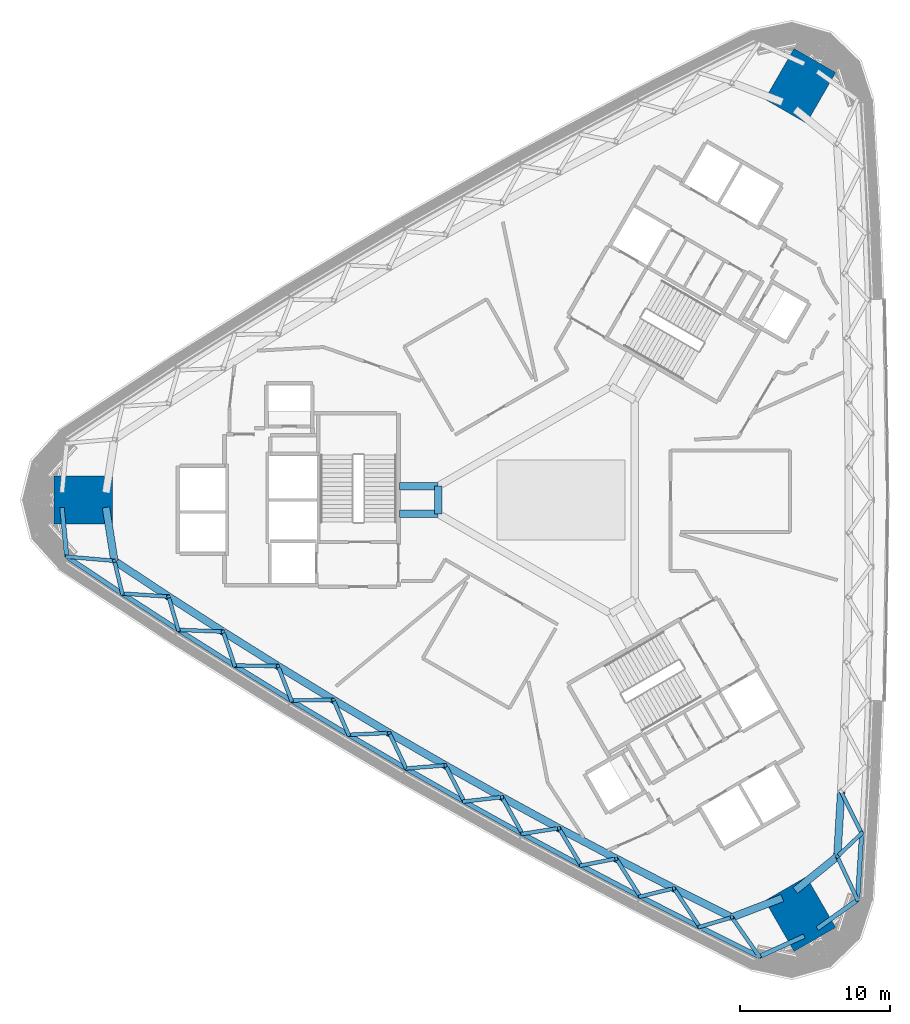
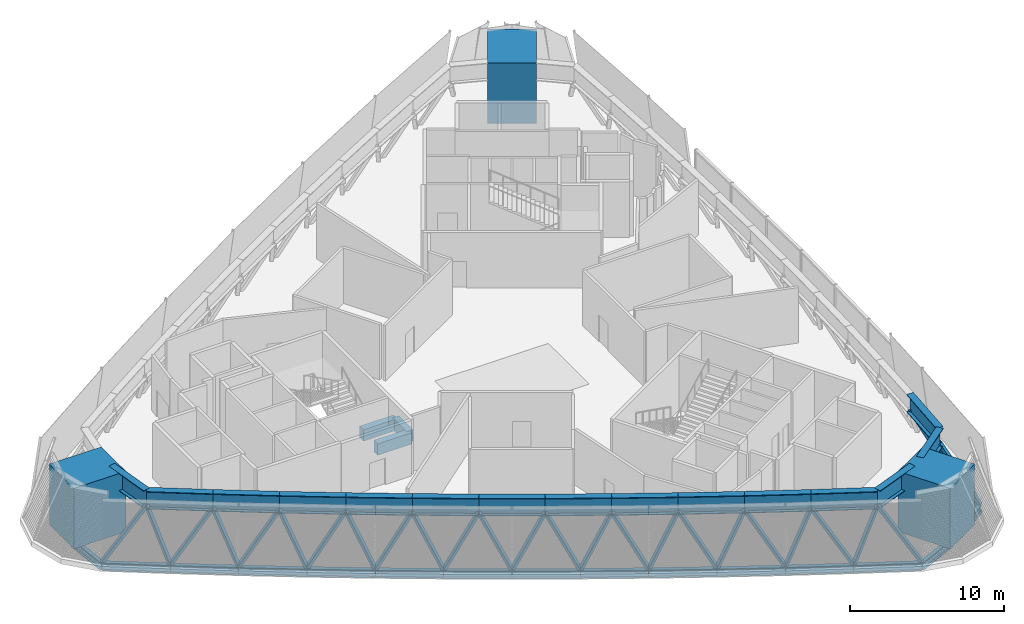
# One storey, part 1 of 17: 34 beams, 27 members, 3 columns.
"""IFC4 building model written with IfcOpenShell, lengths in metres."""

from ifc_helpers import new_model, si_unit, direction, frame, origin, origin_2d, place, context, subcontext, project, spatial, rectangle, hollow_rectangle, i_section, extrude, material, material_profile, profile_set, type_object, element, save


model = new_model("IFC4")

# Units and contexts
model_context = context("Model", 3, precision=1e-05, world=origin(), true_north=direction((0.0, 1.0)))
body_context = subcontext(model_context, "Body", "Model", "MODEL_VIEW")
ifc_project = project(units=[si_unit("LENGTHUNIT", "METRE"), si_unit("AREAUNIT", "SQUARE_METRE"), si_unit("VOLUMEUNIT", "CUBIC_METRE"), si_unit("PLANEANGLEUNIT", "RADIAN"), si_unit("MASSUNIT", "GRAM", prefix="KILO")], contexts=[model_context])

# Site, building, storey
site_placement = place(None, origin())
site = spatial("IfcSite", under=ifc_project, at=site_placement, CompositionType="ELEMENT")
building_placement = place(site_placement, origin())
building = spatial("IfcBuilding", under=site, at=building_placement, Name="Tamra Quay Hotel Tower", CompositionType="ELEMENT")
storey_placement = place(building_placement, frame((0.0, 0.0, 119.0)))
storey = spatial("IfcBuildingStorey", under=building, at=storey_placement, Name="L29", CompositionType="ELEMENT", Elevation=119.0)

# Columns
ifc_material_1 = material(Name="Concrete M70", Category="concrete")
ifc_material_profile_1 = material_profile(ifc_material_1, rectangle(XDim=3.89990234375, YDim=3.199951171875, at=origin_2d()), Name="MEGA COLUMN RC 3200x3900 Z2 BELT")
ifc_profile_set_1 = profile_set([ifc_material_profile_1], Name="Concrete M70")
column_type = type_object("IfcColumnType", Name="MEGA COLUMN RC 3200x3900 Z2 BELT", PredefinedType="COLUMN", material=ifc_profile_set_1)
for number, where, z_axis, x_axis, name in (
    (1, (15.931884765625, 27.594970703125, -0.39990234375), (0.0, 0.0, 1.0), (0.5, 0.866025403784, 0.0), "COL-MR2NE-L29"),
    (2, (-31.864013671875, 0.0, -0.39990234375), (0.0, 0.0, 1.0), (1.0, 0.0, 0.0), "COL-MR2W-L29"),
    (3, (15.931884765625, -27.594970703125, -0.39990234375), (0.0, 0.0, 1.0), (-0.5, 0.866025403784, 0.0), "COL-MR2SE-L29"),
):
    element("IfcColumn", number, at=place(storey_placement, frame(where, z_axis=z_axis, x_axis=x_axis)), inside=storey, type_object=column_type, Name=name, PredefinedType="COLUMN", context=body_context, shape_type="SweptSolid", body=[
        extrude(rectangle(XDim=3.89990234375, YDim=3.199951171875, at=origin_2d()), origin(), (0.0, 0.0, 1.0), 4.7998046875),
    ])

# Beams
ifc_material_2 = material(Name="Concrete M60", Category="concrete")
ifc_material_profile_2 = material_profile(ifc_material_2, rectangle(XDim=0.5, YDim=0.89990234375, at=origin_2d()), Name="ATRIUM EDGE BEAM RC 500x900")
ifc_profile_set_2 = profile_set([ifc_material_profile_2], Name="Concrete M60")
beam_type_1 = type_object("IfcBeamType", Name="ATRIUM EDGE BEAM RC 500x900", PredefinedType="BEAM", material=ifc_profile_set_2)
beam_1_placement = place(storey_placement, frame((-8.199951171875, -0.923828125, -0.85009765625), z_axis=(0.0, 1.0, 0.0), x_axis=(-1.0, 0.0, 0.0)))
element("IfcBeam", 4, at=beam_1_placement, inside=storey, type_object=beam_type_1, Name="BM-AB3-L29", PredefinedType="BEAM", context=body_context, shape_type="SweptSolid", body=[
    extrude(rectangle(XDim=0.5, YDim=0.89990234375, at=origin_2d()), origin(), (0.0, 0.0, 1.0), 1.84765625),
])
ifc_material_profile_3 = material_profile(ifc_material_2, rectangle(XDim=0.5, YDim=0.89990234375, at=origin_2d()), Name="ATRIUM TIE BEAM RC 500x900")
ifc_profile_set_3 = profile_set([ifc_material_profile_3], Name="Concrete M60")
beam_type_2 = type_object("IfcBeamType", Name="ATRIUM TIE BEAM RC 500x900", PredefinedType="BEAM", material=ifc_profile_set_3)
for number, where, z_axis, x_axis, name in (
    (5, (-8.199951171875, -0.923828125, -0.85009765625), (-1.0, 0.0, 0.0), (0.0, -1.0, 0.0), "BM-TIE-3-L29"),
    (6, (-8.199951171875, 0.923828125, -0.85009765625), (-1.0, 0.0, 0.0), (0.0, -1.0, 0.0), "BM-TIE-4-L29"),
):
    element("IfcBeam", number, at=place(storey_placement, frame(where, z_axis=z_axis, x_axis=x_axis)), inside=storey, type_object=beam_type_2, Name=name, PredefinedType="BEAM", context=body_context, shape_type="SweptSolid", body=[
        extrude(rectangle(XDim=0.5, YDim=0.89990234375, at=origin_2d()), origin(), (0.0, 0.0, 1.0), 2.562255859375),
    ])

# Members
ifc_material_3 = material(Name="Structural steel IS 2062 E350", Category="steel")
ifc_material_profile_4 = material_profile(ifc_material_3, hollow_rectangle(XDim=0.25, YDim=0.25, WallThickness=0.010009765625, at=origin_2d()), Name="SHS 250x250x10")
ifc_profile_set_4 = profile_set([ifc_material_profile_4], Name="Structural steel IS 2062 E350")
member_type = type_object("IfcMemberType", Name="BELT BRACE SHS 250x250x10 Z2", PredefinedType="BRACE", material=ifc_profile_set_4)
member_1_placement = place(storey_placement, frame((19.746337890625, -26.648681640625, -0.39990234375), z_axis=(-0.282744312896, 0.605792988773, 0.743687103746), x_axis=(-0.906159683622, -0.422935725351, 0.0)))
element("IfcMember", 7, at=member_1_placement, inside=storey, type_object=member_type, Name="BR-L29-000", PredefinedType="BRACE", context=body_context, shape_type="SweptSolid", body=[
    extrude(hollow_rectangle(XDim=0.25, YDim=0.25, WallThickness=0.010009765625, at=origin_2d()), origin(), (0.0, 0.0, 1.0), 4.773193359375),
])
member_2_placement = place(storey_placement, frame((20.02490234375, -22.212158203125, -0.39990234375), z_axis=(-0.387673105904, -0.367850564427, 0.845219217251), x_axis=(0.68831767692, -0.725409384858, 0.0)))
element("IfcMember", 8, at=member_2_placement, inside=storey, type_object=member_type, Name="BR-L29-001", PredefinedType="BRACE", context=body_context, shape_type="SweptSolid", body=[
    extrude(hollow_rectangle(XDim=0.25, YDim=0.25, WallThickness=0.010009765625, at=origin_2d()), origin(), (0.0, 0.0, 1.0), 4.199951171875),
])
member_3_placement = place(storey_placement, frame((20.02490234375, -22.212158203125, -0.39990234375), z_axis=(-0.291166741739, 0.588506446648, 0.754242726686), x_axis=(-0.896299578858, -0.443449055631, 0.0)))
element("IfcMember", 9, at=member_3_placement, inside=storey, type_object=member_type, Name="BR-L29-002", PredefinedType="BRACE", context=body_context, shape_type="SweptSolid", body=[
    extrude(hollow_rectangle(XDim=0.25, YDim=0.25, WallThickness=0.010009765625, at=origin_2d()), origin(), (0.0, 0.0, 1.0), 4.70654296875),
])
member_4_placement = place(storey_placement, frame((-32.951416015625, -3.776611328125, -0.39990234375), z_axis=(0.665971189165, -0.058003942282, 0.743718977761), x_axis=(0.086768290439, 0.996228519856, 0.0)))
element("IfcMember", 10, at=member_4_placement, inside=storey, type_object=member_type, Name="BR-L29-048", PredefinedType="BRACE", context=body_context, shape_type="SweptSolid", body=[
    extrude(hollow_rectangle(XDim=0.25, YDim=0.25, WallThickness=0.010009765625, at=origin_2d()), origin(), (0.0, 0.0, 1.0), 4.77294921875),
])
member_5_placement = place(storey_placement, frame((-29.248779296875, -6.23583984375, -0.39990234375), z_axis=(-0.124750019863, 0.519636732318, 0.845230796274), x_axis=(-0.972371501354, -0.2334387786, 0.0)))
element("IfcMember", 11, at=member_5_placement, inside=storey, type_object=member_type, Name="BR-L29-049", PredefinedType="BRACE", context=body_context, shape_type="SweptSolid", body=[
    extrude(hollow_rectangle(XDim=0.25, YDim=0.25, WallThickness=0.010009765625, at=origin_2d()), origin(), (0.0, 0.0, 1.0), 4.19970703125),
])
member_6_placement = place(storey_placement, frame((-29.248779296875, -6.23583984375, -0.39990234375), z_axis=(0.65525726514, -0.04212071717, 0.754230575929), x_axis=(0.064148793555, 0.997940345053, 0.0)))
element("IfcMember", 12, at=member_6_placement, inside=storey, type_object=member_type, Name="BR-L29-050", PredefinedType="BRACE", context=body_context, shape_type="SweptSolid", body=[
    extrude(hollow_rectangle(XDim=0.25, YDim=0.25, WallThickness=0.010009765625, at=origin_2d()), origin(), (0.0, 0.0, 1.0), 4.70654296875),
])
member_7_placement = place(storey_placement, frame((-25.5185546875, -8.653076171875, -0.39990234375), z_axis=(-0.152563414814, 0.523856772667, 0.83803250903), x_axis=(-0.960112317806, -0.279614622646, 0.0)))
element("IfcMember", 13, at=member_7_placement, inside=storey, type_object=member_type, Name="BR-L29-051", PredefinedType="BRACE", context=body_context, shape_type="SweptSolid", body=[
    extrude(hollow_rectangle(XDim=0.25, YDim=0.25, WallThickness=0.010009765625, at=origin_2d()), origin(), (0.0, 0.0, 1.0), 4.23583984375),
])
member_8_placement = place(storey_placement, frame((-25.5185546875, -8.653076171875, -0.39990234375), z_axis=(0.644011178893, -0.025556416505, 0.764589086397), x_axis=(0.039651978917, 0.999213551033, 0.0)))
element("IfcMember", 14, at=member_8_placement, inside=storey, type_object=member_type, Name="BR-L29-052", PredefinedType="BRACE", context=body_context, shape_type="SweptSolid", body=[
    extrude(hollow_rectangle(XDim=0.25, YDim=0.25, WallThickness=0.010009765625, at=origin_2d()), origin(), (0.0, 0.0, 1.0), 4.642822265625),
])
member_9_placement = place(storey_placement, frame((-21.760986328125, -11.02734375, -0.39990234375), z_axis=(-0.179538333068, 0.527593721125, 0.830307685373), x_axis=(-0.946687145124, -0.322154387301, 0.0)))
element("IfcMember", 15, at=member_9_placement, inside=storey, type_object=member_type, Name="BR-L29-053", PredefinedType="BRACE", context=body_context, shape_type="SweptSolid", body=[
    extrude(hollow_rectangle(XDim=0.25, YDim=0.25, WallThickness=0.010009765625, at=origin_2d()), origin(), (0.0, 0.0, 1.0), 4.275390625),
])
member_10_placement = place(storey_placement, frame((-21.760986328125, -11.02734375, -0.39990234375), z_axis=(0.632117792655, -0.008419710946, 0.774826564256), x_axis=(0.013318663448, 0.999911302668, 0.0)))
element("IfcMember", 16, at=member_10_placement, inside=storey, type_object=member_type, Name="BR-L29-054", PredefinedType="BRACE", context=body_context, shape_type="SweptSolid", body=[
    extrude(hollow_rectangle(XDim=0.25, YDim=0.25, WallThickness=0.010009765625, at=origin_2d()), origin(), (0.0, 0.0, 1.0), 4.581298828125),
])
member_11_placement = place(storey_placement, frame((-17.976806640625, -13.35888671875, -0.39990234375), z_axis=(-0.205679134807, 0.530989124274, 0.82203810338), x_axis=(-0.932488287788, -0.361200211986, 0.0)))
element("IfcMember", 17, at=member_11_placement, inside=storey, type_object=member_type, Name="BR-L29-055", PredefinedType="BRACE", context=body_context, shape_type="SweptSolid", body=[
    extrude(hollow_rectangle(XDim=0.25, YDim=0.25, WallThickness=0.010009765625, at=origin_2d()), origin(), (0.0, 0.0, 1.0), 4.318359375),
])
member_12_placement = place(storey_placement, frame((-17.976806640625, -13.35888671875, -0.39990234375), z_axis=(0.619584819153, 0.009500516481, 0.784872213842), x_axis=(-0.015331879502, 0.999882459828, 0.0)))
element("IfcMember", 18, at=member_12_placement, inside=storey, type_object=member_type, Name="BR-L29-056", PredefinedType="BRACE", context=body_context, shape_type="SweptSolid", body=[
    extrude(hollow_rectangle(XDim=0.25, YDim=0.25, WallThickness=0.010009765625, at=origin_2d()), origin(), (0.0, 0.0, 1.0), 4.522705078125),
])
member_13_placement = place(storey_placement, frame((-14.166015625, -15.646728515625, -0.39990234375), z_axis=(-0.231066445159, 0.534009041863, 0.813291240043), x_axis=(-0.917767092513, -0.397119080252, 0.0)))
element("IfcMember", 19, at=member_13_placement, inside=storey, type_object=member_type, Name="BR-L29-057", PredefinedType="BRACE", context=body_context, shape_type="SweptSolid", body=[
    extrude(hollow_rectangle(XDim=0.25, YDim=0.25, WallThickness=0.010009765625, at=origin_2d()), origin(), (0.0, 0.0, 1.0), 4.36474609375),
])
member_14_placement = place(storey_placement, frame((-14.166015625, -15.646728515625, -0.39990234375), z_axis=(0.606424853994, 0.027982112946, 0.794648285604), x_axis=(-0.04609370994, 0.998937120095, 0.0)))
element("IfcMember", 20, at=member_14_placement, inside=storey, type_object=member_type, Name="BR-L29-058", PredefinedType="BRACE", context=body_context, shape_type="SweptSolid", body=[
    extrude(hollow_rectangle(XDim=0.25, YDim=0.25, WallThickness=0.010009765625, at=origin_2d()), origin(), (0.0, 0.0, 1.0), 4.467041015625),
])
for number, where, z_axis, x_axis, name in (
    (21, (-10.32958984375, -17.89111328125, -0.39990234375), (-0.255405450979, 0.536749653909, 0.804156616984), (-0.902984309672, -0.429673523139, 0.0), "BR-L29-059"),
    (22, (-10.32958984375, -17.89111328125, -0.39990234375), (0.592551426741, 0.047120946013, 0.804153233603), (-0.079271867167, 0.99685303384, 0.0), "BR-L29-060"),
):
    element("IfcMember", number, at=place(storey_placement, frame(where, z_axis=z_axis, x_axis=x_axis)), inside=storey, type_object=member_type, Name=name, PredefinedType="BRACE", context=body_context, shape_type="SweptSolid", body=[
        extrude(hollow_rectangle(XDim=0.25, YDim=0.25, WallThickness=0.010009765625, at=origin_2d()), origin(), (0.0, 0.0, 1.0), 4.414306640625),
    ])
member_15_placement = place(storey_placement, frame((-6.467529296875, -20.091552734375, -0.39990234375), z_axis=(-0.279003053541, 0.539150856647, 0.794653163268), x_axis=(-0.888128949602, -0.459594352531, 0.0)))
element("IfcMember", 23, at=member_15_placement, inside=storey, type_object=member_type, Name="BR-L29-061", PredefinedType="BRACE", context=body_context, shape_type="SweptSolid", body=[
    extrude(hollow_rectangle(XDim=0.25, YDim=0.25, WallThickness=0.010009765625, at=origin_2d()), origin(), (0.0, 0.0, 1.0), 4.467041015625),
])
member_16_placement = place(storey_placement, frame((-6.467529296875, -20.091552734375, -0.39990234375), z_axis=(0.57801919806, 0.066896744811, 0.813276479562), x_axis=(-0.114967068607, 0.9933693035, 0.0)))
element("IfcMember", 24, at=member_16_placement, inside=storey, type_object=member_type, Name="BR-L29-062", PredefinedType="BRACE", context=body_context, shape_type="SweptSolid", body=[
    extrude(hollow_rectangle(XDim=0.25, YDim=0.25, WallThickness=0.010009765625, at=origin_2d()), origin(), (0.0, 0.0, 1.0), 4.36474609375),
])
member_17_placement = place(storey_placement, frame((-2.580810546875, -22.247802734375, -0.39990234375), z_axis=(-0.301538393441, 0.541322414864, 0.784885112896), x_axis=(-0.873606071044, -0.48663377671, 0.0)))
element("IfcMember", 25, at=member_17_placement, inside=storey, type_object=member_type, Name="BR-L29-063", PredefinedType="BRACE", context=body_context, shape_type="SweptSolid", body=[
    extrude(hollow_rectangle(XDim=0.25, YDim=0.25, WallThickness=0.010009765625, at=origin_2d()), origin(), (0.0, 0.0, 1.0), 4.522705078125),
])
member_18_placement = place(storey_placement, frame((-2.580810546875, -22.247802734375, -0.39990234375), z_axis=(0.562740562902, 0.087345204911, 0.822006006087), x_axis=(-0.153377442509, 0.988167678144, 0.0)))
element("IfcMember", 26, at=member_18_placement, inside=storey, type_object=member_type, Name="BR-L29-064", PredefinedType="BRACE", context=body_context, shape_type="SweptSolid", body=[
    extrude(hollow_rectangle(XDim=0.25, YDim=0.25, WallThickness=0.010009765625, at=origin_2d()), origin(), (0.0, 0.0, 1.0), 4.318359375),
])
member_19_placement = place(storey_placement, frame((1.33056640625, -24.359375, -0.39990234375), z_axis=(-0.32330894311, 0.543235761671, 0.774833036561), x_axis=(-0.859324639719, -0.51143050708, 0.0)))
element("IfcMember", 27, at=member_19_placement, inside=storey, type_object=member_type, Name="BR-L29-065", PredefinedType="BRACE", context=body_context, shape_type="SweptSolid", body=[
    extrude(hollow_rectangle(XDim=0.25, YDim=0.25, WallThickness=0.010009765625, at=origin_2d()), origin(), (0.0, 0.0, 1.0), 4.581298828125),
])
member_20_placement = place(storey_placement, frame((1.33056640625, -24.359375, -0.39990234375), z_axis=(0.546629374162, 0.108332210905, 0.830337557493), x_axis=(-0.194401294917, 0.980922084844, 0.0)))
element("IfcMember", 28, at=member_20_placement, inside=storey, type_object=member_type, Name="BR-L29-066", PredefinedType="BRACE", context=body_context, shape_type="SweptSolid", body=[
    extrude(hollow_rectangle(XDim=0.25, YDim=0.25, WallThickness=0.010009765625, at=origin_2d()), origin(), (0.0, 0.0, 1.0), 4.275146484375),
])
member_21_placement = place(storey_placement, frame((5.265625, -26.42626953125, -0.39990234375), z_axis=(-0.344214906408, 0.544928059136, 0.764571454197), x_axis=(-0.845454005932, -0.53404824113, 0.0)))
element("IfcMember", 29, at=member_21_placement, inside=storey, type_object=member_type, Name="BR-L29-067", PredefinedType="BRACE", context=body_context, shape_type="SweptSolid", body=[
    extrude(hollow_rectangle(XDim=0.25, YDim=0.25, WallThickness=0.010009765625, at=origin_2d()), origin(), (0.0, 0.0, 1.0), 4.642822265625),
])
member_22_placement = place(storey_placement, frame((5.265625, -26.42626953125, -0.39990234375), z_axis=(0.529922135525, 0.129800375158, 0.83805393197), x_axis=(-0.237909409225, 0.971287348318, 0.0)))
element("IfcMember", 30, at=member_22_placement, inside=storey, type_object=member_type, Name="BR-L29-068", PredefinedType="BRACE", context=body_context, shape_type="SweptSolid", body=[
    extrude(hollow_rectangle(XDim=0.25, YDim=0.25, WallThickness=0.010009765625, at=origin_2d()), origin(), (0.0, 0.0, 1.0), 4.23583984375),
])
member_23_placement = place(storey_placement, frame((9.223876953125, -28.4482421875, -0.39990234375), z_axis=(-0.364092887779, 0.546424630269, 0.754225756988), x_axis=(-0.832183962152, -0.554499642144, 0.0)))
element("IfcMember", 31, at=member_23_placement, inside=storey, type_object=member_type, Name="BR-L29-069", PredefinedType="BRACE", context=body_context, shape_type="SweptSolid", body=[
    extrude(hollow_rectangle(XDim=0.25, YDim=0.25, WallThickness=0.010009765625, at=origin_2d()), origin(), (0.0, 0.0, 1.0), 4.70654296875),
])
member_24_placement = place(storey_placement, frame((9.223876953125, -28.4482421875, -0.39990234375), z_axis=(0.512414816212, 0.151835224044, 0.845208329861), x_axis=(-0.284103143013, 0.958793723452, 0.0)))
element("IfcMember", 32, at=member_24_placement, inside=storey, type_object=member_type, Name="BR-L29-070", PredefinedType="BRACE", context=body_context, shape_type="SweptSolid", body=[
    extrude(hollow_rectangle(XDim=0.25, YDim=0.25, WallThickness=0.010009765625, at=origin_2d()), origin(), (0.0, 0.0, 1.0), 4.199951171875),
])
member_25_placement = place(storey_placement, frame((13.205078125, -30.425048828125, -0.39990234375), z_axis=(-0.383211555214, 0.547759282539, 0.743712761987), x_axis=(-0.81938645894, -0.573241511848, 0.0)))
element("IfcMember", 33, at=member_25_placement, inside=storey, type_object=member_type, Name="BR-L29-071", PredefinedType="BRACE", context=body_context, shape_type="SweptSolid", body=[
    extrude(hollow_rectangle(XDim=0.25, YDim=0.25, WallThickness=0.010009765625, at=origin_2d()), origin(), (0.0, 0.0, 1.0), 4.773193359375),
])

# Beams
ifc_material_profile_5 = material_profile(ifc_material_3, i_section(OverallWidth=0.304931640625, OverallDepth=0.6201171875, WebThickness=0.02099609375, FlangeThickness=0.0400390625, at=origin_2d()), Name="WPB 600x300x285")
ifc_profile_set_5 = profile_set([ifc_material_profile_5], Name="Structural steel IS 2062 E350")
beam_type_3 = type_object("IfcBeamType", Name="BELT CHORD WPB 600x300x285 Z2", PredefinedType="BEAM", material=ifc_profile_set_5)
beam_2_placement = place(storey_placement, frame((19.746337890625, -26.648681640625, -0.7099609375), z_axis=(0.062665499823, 0.99803458614, 0.0), x_axis=(-0.99803458614, 0.062665499823, 0.0)))
element("IfcBeam", 34, at=beam_2_placement, inside=storey, type_object=beam_type_3, Name="BM-CHB-L29-000", PredefinedType="BEAM", context=body_context, shape_type="SweptSolid", body=[
    extrude(i_section(OverallWidth=0.304931640625, OverallDepth=0.6201171875, WebThickness=0.02099609375, FlangeThickness=0.0400390625, at=origin_2d()), origin(), (0.0, 0.0, 1.0), 4.4453125),
])
beam_3_placement = place(storey_placement, frame((-33.26611328125, -0.497802734375, -0.7099609375), z_axis=(0.095540102375, -0.995425581768, 0.0), x_axis=(0.995425581768, 0.095540102375, 0.0)))
element("IfcBeam", 35, at=beam_3_placement, inside=storey, type_object=beam_type_3, Name="BM-CHB-L29-027", PredefinedType="BEAM", context=body_context, shape_type="SweptSolid", body=[
    extrude(i_section(OverallWidth=0.304931640625, OverallDepth=0.6201171875, WebThickness=0.02099609375, FlangeThickness=0.0400390625, at=origin_2d()), origin(), (0.0, 0.0, 1.0), 3.2939453125),
])
beam_4_placement = place(storey_placement, frame((-32.951416015625, -3.776611328125, -0.7099609375), z_axis=(0.833003924597, -0.553267079814, 0.0), x_axis=(0.553267079814, 0.833003924597, 0.0)))
element("IfcBeam", 36, at=beam_4_placement, inside=storey, type_object=beam_type_3, Name="BM-CHB-L29-028", PredefinedType="BEAM", context=body_context, shape_type="SweptSolid", body=[
    extrude(i_section(OverallWidth=0.304931640625, OverallDepth=0.6201171875, WebThickness=0.02099609375, FlangeThickness=0.0400390625, at=origin_2d()), origin(), (0.0, 0.0, 1.0), 4.44482421875),
])
beam_5_placement = place(storey_placement, frame((-29.248779296875, -6.23583984375, -0.7099609375), z_axis=(0.839204512616, -0.543815948649, 0.0), x_axis=(0.543815948649, 0.839204512616, 0.0)))
element("IfcBeam", 37, at=beam_5_placement, inside=storey, type_object=beam_type_3, Name="BM-CHB-L29-029", PredefinedType="BEAM", context=body_context, shape_type="SweptSolid", body=[
    extrude(i_section(OverallWidth=0.304931640625, OverallDepth=0.6201171875, WebThickness=0.02099609375, FlangeThickness=0.0400390625, at=origin_2d()), origin(), (0.0, 0.0, 1.0), 4.445068359375),
])
for number, where, z_axis, x_axis, name in (
    (38, (-25.5185546875, -8.653076171875, -0.7099609375), (0.845380554477, -0.534164504729, 0.0), (0.534164504729, 0.845380554477, 0.0), "BM-CHB-L29-030"),
    (39, (-21.760986328125, -11.02734375, -0.7099609375), (0.851375304544, -0.524557042477, 0.0), (0.524557042477, 0.851375304544, 0.0), "BM-CHB-L29-031"),
    (40, (-17.976806640625, -13.35888671875, -0.7099609375), (0.857357193624, -0.514721907967, 0.0), (0.514721907967, 0.857357193624, 0.0), "BM-CHB-L29-032"),
    (41, (-14.166015625, -15.646728515625, -0.7099609375), (0.863144691762, -0.504956672481, 0.0), (0.504956672481, 0.863144691762, 0.0), "BM-CHB-L29-033"),
    (42, (-10.32958984375, -17.89111328125, -0.7099609375), (0.868867759144, -0.495044257739, 0.0), (0.495044257739, 0.868867759144, 0.0), "BM-CHB-L29-034"),
    (43, (-6.467529296875, -20.091552734375, -0.7099609375), (0.874447303587, -0.485120514151, 0.0), (0.485120514151, 0.874447303587, 0.0), "BM-CHB-L29-035"),
):
    element("IfcBeam", number, at=place(storey_placement, frame(where, z_axis=z_axis, x_axis=x_axis)), inside=storey, type_object=beam_type_3, Name=name, PredefinedType="BEAM", context=body_context, shape_type="SweptSolid", body=[
        extrude(i_section(OverallWidth=0.304931640625, OverallDepth=0.6201171875, WebThickness=0.02099609375, FlangeThickness=0.0400390625, at=origin_2d()), origin(), (0.0, 0.0, 1.0), 4.44482421875),
    ])
beam_6_placement = place(storey_placement, frame((-2.580810546875, -22.247802734375, -0.7099609375), z_axis=(0.879959126685, -0.475049403077, 0.0), x_axis=(0.475049403077, 0.879959126685, 0.0)))
element("IfcBeam", 44, at=beam_6_placement, inside=storey, type_object=beam_type_3, Name="BM-CHB-L29-036", PredefinedType="BEAM", context=body_context, shape_type="SweptSolid", body=[
    extrude(i_section(OverallWidth=0.304931640625, OverallDepth=0.6201171875, WebThickness=0.02099609375, FlangeThickness=0.0400390625, at=origin_2d()), origin(), (0.0, 0.0, 1.0), 4.445068359375),
])
for number, where, z_axis, x_axis, name in (
    (45, (1.33056640625, -24.359375, -0.7099609375), (0.885306332423, -0.4650082771, 0.0), (0.4650082771, 0.885306332423, 0.0), "BM-CHB-L29-037"),
    (46, (5.265625, -26.42626953125, -0.7099609375), (0.890538040602, -0.454908780131, 0.0), (0.454908780131, 0.890538040602, 0.0), "BM-CHB-L29-038"),
):
    element("IfcBeam", number, at=place(storey_placement, frame(where, z_axis=z_axis, x_axis=x_axis)), inside=storey, type_object=beam_type_3, Name=name, PredefinedType="BEAM", context=body_context, shape_type="SweptSolid", body=[
        extrude(i_section(OverallWidth=0.304931640625, OverallDepth=0.6201171875, WebThickness=0.02099609375, FlangeThickness=0.0400390625, at=origin_2d()), origin(), (0.0, 0.0, 1.0), 4.44482421875),
    ])
beam_7_placement = place(storey_placement, frame((9.223876953125, -28.4482421875, -0.7099609375), z_axis=(0.895665054819, -0.444729254239, 0.0), x_axis=(0.444729254239, 0.895665054819, 0.0)))
element("IfcBeam", 47, at=beam_7_placement, inside=storey, type_object=beam_type_3, Name="BM-CHB-L29-039", PredefinedType="BEAM", context=body_context, shape_type="SweptSolid", body=[
    extrude(i_section(OverallWidth=0.304931640625, OverallDepth=0.6201171875, WebThickness=0.02099609375, FlangeThickness=0.0400390625, at=origin_2d()), origin(), (0.0, 0.0, 1.0), 4.445068359375),
])
beam_8_placement = place(storey_placement, frame((13.205078125, -30.425048828125, -0.7099609375), z_axis=(0.909820030099, 0.415003027495, 0.0), x_axis=(-0.415003027495, 0.909820030099, 0.0)))
element("IfcBeam", 48, at=beam_8_placement, inside=storey, type_object=beam_type_3, Name="BM-CHB-L29-040", PredefinedType="BEAM", context=body_context, shape_type="SweptSolid", body=[
    extrude(i_section(OverallWidth=0.304931640625, OverallDepth=0.6201171875, WebThickness=0.02099609375, FlangeThickness=0.0400390625, at=origin_2d()), origin(), (0.0, 0.0, 1.0), 3.29443359375),
])
beam_9_placement = place(storey_placement, frame((17.063720703125, -28.560546875, -0.7099609375), z_axis=(0.814348949885, 0.580375557567, 0.0), x_axis=(-0.580375557567, 0.814348949885, 0.0)))
element("IfcBeam", 49, at=beam_9_placement, inside=storey, type_object=beam_type_3, Name="BM-CHB-L29-041", PredefinedType="BEAM", context=body_context, shape_type="SweptSolid", body=[
    extrude(i_section(OverallWidth=0.304931640625, OverallDepth=0.6201171875, WebThickness=0.02099609375, FlangeThickness=0.0400390625, at=origin_2d()), origin(), (0.0, 0.0, 1.0), 3.294189453125),
])
ifc_material_profile_6 = material_profile(ifc_material_3, i_section(OverallWidth=0.5, OverallDepth=1.39990234375, WebThickness=0.02490234375, FlangeThickness=0.050048828125, at=origin_2d()), Name="WPG 1400x500x25x50")
ifc_profile_set_6 = profile_set([ifc_material_profile_6], Name="Structural steel IS 2062 E350")
beam_type_4 = type_object("IfcBeamType", Name="BELT TOP CHORD WPG 1400x500x25x50 Z2", PredefinedType="USERDEFINED", material=ifc_profile_set_6)
beam_10_placement = place(storey_placement, frame((18.396728515625, -23.757080078125, 3.699951171875), z_axis=(0.059645781891, 0.998219605449, 0.0), x_axis=(-0.998219605449, 0.059645781891, 0.0)))
element("IfcBeam", 50, at=beam_10_placement, inside=storey, type_object=beam_type_4, Name="BM-CHT-L29-000", ObjectType="TRANSFER GIRDER", PredefinedType="USERDEFINED", context=body_context, shape_type="SweptSolid", body=[
    extrude(i_section(OverallWidth=0.5, OverallDepth=1.39990234375, WebThickness=0.02490234375, FlangeThickness=0.050048828125, at=origin_2d()), origin(), (0.0, 0.0, 1.0), 4.322509765625),
])
beam_11_placement = place(storey_placement, frame((-30.336181640625, -0.493408203125, 3.699951171875), z_axis=(0.156331258043, -0.98770468145, 0.0), x_axis=(0.98770468145, 0.156331258043, 0.0)))
element("IfcBeam", 51, at=beam_11_placement, inside=storey, type_object=beam_type_4, Name="BM-CHT-L29-025", ObjectType="TRANSFER GIRDER", PredefinedType="USERDEFINED", context=body_context, shape_type="SweptSolid", body=[
    extrude(i_section(OverallWidth=0.5, OverallDepth=1.39990234375, WebThickness=0.02490234375, FlangeThickness=0.050048828125, at=origin_2d()), origin(), (0.0, 0.0, 1.0), 3.6044921875),
])
beam_12_placement = place(storey_placement, frame((-29.772705078125, -4.053466796875, 3.699951171875), z_axis=(0.83467379751, -0.550744633883, 0.0), x_axis=(0.550744633883, 0.83467379751, 0.0)))
element("IfcBeam", 52, at=beam_12_placement, inside=storey, type_object=beam_type_4, Name="BM-CHT-L29-026", ObjectType="TRANSFER GIRDER", PredefinedType="USERDEFINED", context=body_context, shape_type="SweptSolid", body=[
    extrude(i_section(OverallWidth=0.5, OverallDepth=1.39990234375, WebThickness=0.02490234375, FlangeThickness=0.050048828125, at=origin_2d()), origin(), (0.0, 0.0, 1.0), 4.322509765625),
])
beam_13_placement = place(storey_placement, frame((-26.164794921875, -6.43408203125, 3.699951171875), z_axis=(0.841171135304, -0.540769009033, 0.0), x_axis=(0.540769009033, 0.841171135304, 0.0)))
element("IfcBeam", 53, at=beam_13_placement, inside=storey, type_object=beam_type_4, Name="BM-CHT-L29-027", ObjectType="TRANSFER GIRDER", PredefinedType="USERDEFINED", context=body_context, shape_type="SweptSolid", body=[
    extrude(i_section(OverallWidth=0.5, OverallDepth=1.39990234375, WebThickness=0.02490234375, FlangeThickness=0.050048828125, at=origin_2d()), origin(), (0.0, 0.0, 1.0), 4.32275390625),
])
beam_14_placement = place(storey_placement, frame((-22.528564453125, -8.771728515625, 3.699951171875), z_axis=(0.847534719417, -0.530739954576, 0.0), x_axis=(0.530739954576, 0.847534719417, 0.0)))
element("IfcBeam", 54, at=beam_14_placement, inside=storey, type_object=beam_type_4, Name="BM-CHT-L29-028", ObjectType="TRANSFER GIRDER", PredefinedType="USERDEFINED", context=body_context, shape_type="SweptSolid", body=[
    extrude(i_section(OverallWidth=0.5, OverallDepth=1.39990234375, WebThickness=0.02490234375, FlangeThickness=0.050048828125, at=origin_2d()), origin(), (0.0, 0.0, 1.0), 4.322509765625),
])
beam_15_placement = place(storey_placement, frame((-18.864990234375, -11.06591796875, 3.699951171875), z_axis=(0.853823118796, -0.520563235169, 0.0), x_axis=(0.520563235169, 0.853823118796, 0.0)))
element("IfcBeam", 55, at=beam_15_placement, inside=storey, type_object=beam_type_4, Name="BM-CHT-L29-029", ObjectType="TRANSFER GIRDER", PredefinedType="USERDEFINED", context=body_context, shape_type="SweptSolid", body=[
    extrude(i_section(OverallWidth=0.5, OverallDepth=1.39990234375, WebThickness=0.02490234375, FlangeThickness=0.050048828125, at=origin_2d()), origin(), (0.0, 0.0, 1.0), 4.322265625),
])
beam_16_placement = place(storey_placement, frame((-15.174560546875, -13.31591796875, 3.699951171875), z_axis=(0.860004243516, -0.510286881209, 0.0), x_axis=(0.510286881209, 0.860004243516, 0.0)))
element("IfcBeam", 56, at=beam_16_placement, inside=storey, type_object=beam_type_4, Name="BM-CHT-L29-030", ObjectType="TRANSFER GIRDER", PredefinedType="USERDEFINED", context=body_context, shape_type="SweptSolid", body=[
    extrude(i_section(OverallWidth=0.5, OverallDepth=1.39990234375, WebThickness=0.02490234375, FlangeThickness=0.050048828125, at=origin_2d()), origin(), (0.0, 0.0, 1.0), 4.32275390625),
])
beam_17_placement = place(storey_placement, frame((-11.45703125, -15.521728515625, 3.699951171875), z_axis=(0.865999338476, -0.500045143721, 0.0), x_axis=(0.500045143721, 0.865999338476, 0.0)))
element("IfcBeam", 57, at=beam_17_placement, inside=storey, type_object=beam_type_4, Name="BM-CHT-L29-031", ObjectType="TRANSFER GIRDER", PredefinedType="USERDEFINED", context=body_context, shape_type="SweptSolid", body=[
    extrude(i_section(OverallWidth=0.5, OverallDepth=1.39990234375, WebThickness=0.02490234375, FlangeThickness=0.050048828125, at=origin_2d()), origin(), (0.0, 0.0, 1.0), 4.322265625),
])
beam_18_placement = place(storey_placement, frame((-7.7138671875, -17.68310546875, 3.699951171875), z_axis=(0.871947832334, -0.489598792571, 0.0), x_axis=(0.489598792571, 0.871947832334, 0.0)))
element("IfcBeam", 58, at=beam_18_placement, inside=storey, type_object=beam_type_4, Name="BM-CHT-L29-032", ObjectType="TRANSFER GIRDER", PredefinedType="USERDEFINED", context=body_context, shape_type="SweptSolid", body=[
    extrude(i_section(OverallWidth=0.5, OverallDepth=1.39990234375, WebThickness=0.02490234375, FlangeThickness=0.050048828125, at=origin_2d()), origin(), (0.0, 0.0, 1.0), 4.32275390625),
])
beam_19_placement = place(storey_placement, frame((-3.944580078125, -19.799560546875, 3.699951171875), z_axis=(0.877737950018, -0.479140992922, 0.0), x_axis=(0.479140992922, 0.877737950018, 0.0)))
element("IfcBeam", 59, at=beam_19_placement, inside=storey, type_object=beam_type_4, Name="BM-CHT-L29-033", ObjectType="TRANSFER GIRDER", PredefinedType="USERDEFINED", context=body_context, shape_type="SweptSolid", body=[
    extrude(i_section(OverallWidth=0.5, OverallDepth=1.39990234375, WebThickness=0.02490234375, FlangeThickness=0.050048828125, at=origin_2d()), origin(), (0.0, 0.0, 1.0), 4.322509765625),
])
beam_20_placement = place(storey_placement, frame((-0.150634765625, -21.87060546875, 3.699951171875), z_axis=(0.88337813376, -0.468660935853, 0.0), x_axis=(0.468660935853, 0.88337813376, 0.0)))
element("IfcBeam", 60, at=beam_20_placement, inside=storey, type_object=beam_type_4, Name="BM-CHT-L29-034", ObjectType="TRANSFER GIRDER", PredefinedType="USERDEFINED", context=body_context, shape_type="SweptSolid", body=[
    extrude(i_section(OverallWidth=0.5, OverallDepth=1.39990234375, WebThickness=0.02490234375, FlangeThickness=0.050048828125, at=origin_2d()), origin(), (0.0, 0.0, 1.0), 4.322265625),
])
beam_21_placement = place(storey_placement, frame((3.66748046875, -23.896240234375, 3.699951171875), z_axis=(0.888916721876, -0.458068839335, 0.0), x_axis=(0.458068839335, 0.888916721876, 0.0)))
element("IfcBeam", 61, at=beam_21_placement, inside=storey, type_object=beam_type_4, Name="BM-CHT-L29-035", ObjectType="TRANSFER GIRDER", PredefinedType="USERDEFINED", context=body_context, shape_type="SweptSolid", body=[
    extrude(i_section(OverallWidth=0.5, OverallDepth=1.39990234375, WebThickness=0.02490234375, FlangeThickness=0.050048828125, at=origin_2d()), origin(), (0.0, 0.0, 1.0), 4.322998046875),
])
beam_22_placement = place(storey_placement, frame((7.51025390625, -25.87646484375, 3.699951171875), z_axis=(0.894314201219, -0.44743950373, 0.0), x_axis=(0.44743950373, 0.894314201219, 0.0)))
element("IfcBeam", 62, at=beam_22_placement, inside=storey, type_object=beam_type_4, Name="BM-CHT-L29-036", ObjectType="TRANSFER GIRDER", PredefinedType="USERDEFINED", context=body_context, shape_type="SweptSolid", body=[
    extrude(i_section(OverallWidth=0.5, OverallDepth=1.39990234375, WebThickness=0.02490234375, FlangeThickness=0.050048828125, at=origin_2d()), origin(), (0.0, 0.0, 1.0), 4.322509765625),
])
beam_23_placement = place(storey_placement, frame((11.3759765625, -27.810546875, 3.699951171875), z_axis=(0.933544482386, 0.358461573123, 0.0), x_axis=(-0.358461573123, 0.933544482386, 0.0)))
element("IfcBeam", 63, at=beam_23_placement, inside=storey, type_object=beam_type_4, Name="BM-CHT-L29-037", ObjectType="TRANSFER GIRDER", PredefinedType="USERDEFINED", context=body_context, shape_type="SweptSolid", body=[
    extrude(i_section(OverallWidth=0.5, OverallDepth=1.39990234375, WebThickness=0.02490234375, FlangeThickness=0.050048828125, at=origin_2d()), origin(), (0.0, 0.0, 1.0), 3.604248046875),
])
beam_24_placement = place(storey_placement, frame((15.595703125, -26.02490234375, 3.699951171875), z_axis=(0.777200697482, 0.629252791677, 0.0), x_axis=(-0.629252791677, 0.777200697482, 0.0)))
element("IfcBeam", 64, at=beam_24_placement, inside=storey, type_object=beam_type_4, Name="BM-CHT-L29-038", ObjectType="TRANSFER GIRDER", PredefinedType="USERDEFINED", context=body_context, shape_type="SweptSolid", body=[
    extrude(i_section(OverallWidth=0.5, OverallDepth=1.39990234375, WebThickness=0.02490234375, FlangeThickness=0.050048828125, at=origin_2d()), origin(), (0.0, 0.0, 1.0), 3.60400390625),
])

save(model, "model.ifc")
